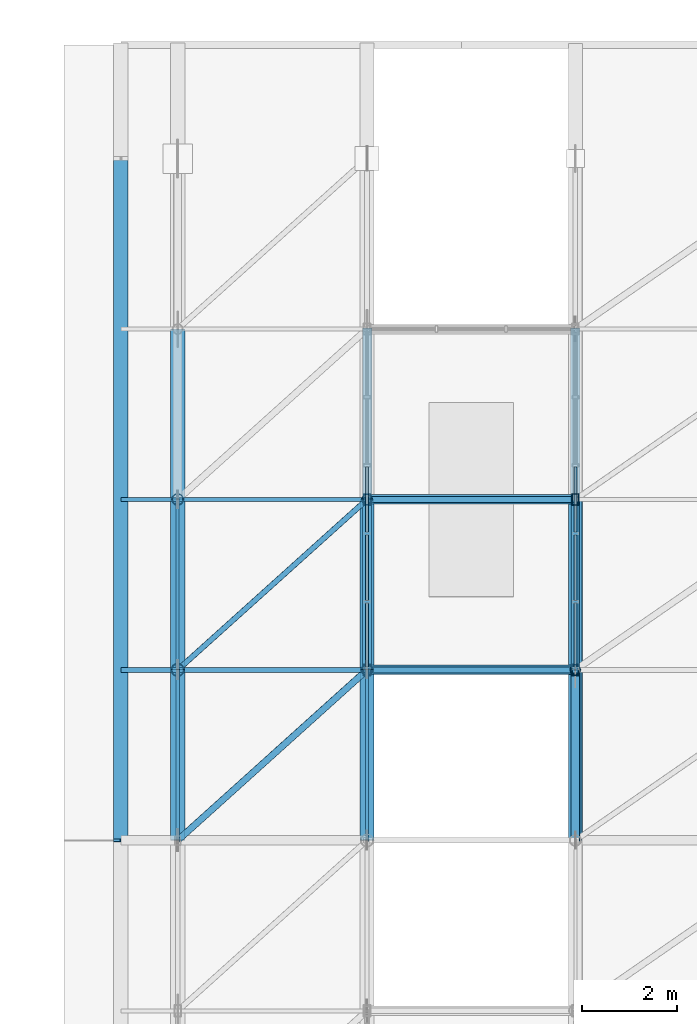
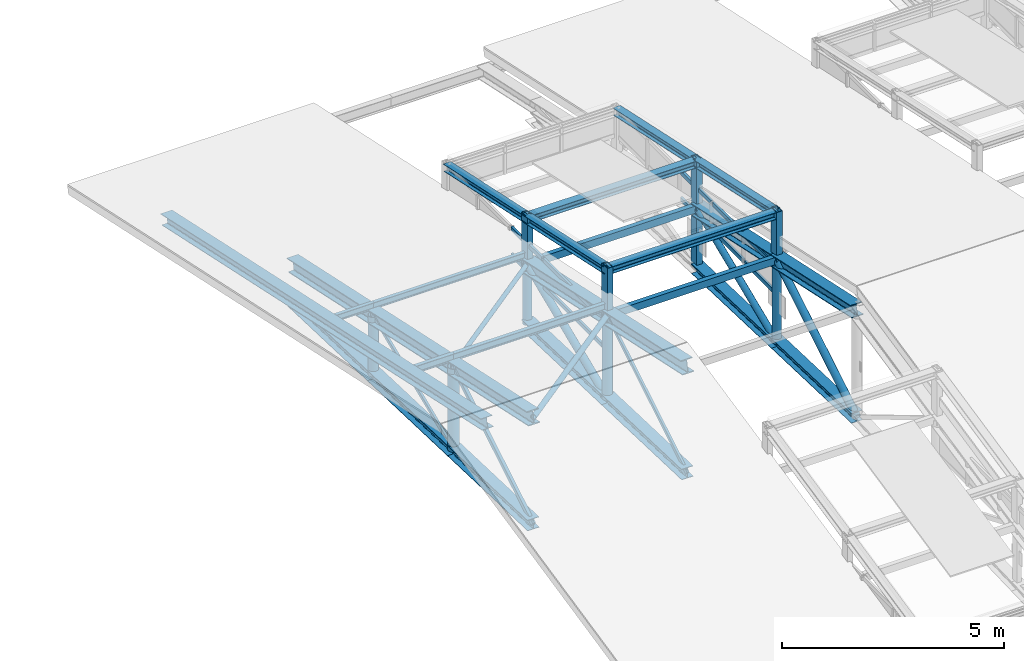
# One storey, part 38 of 124: 55 members, 2 elements without a shape of their own.
"""IFC4 building model written with IfcOpenShell, lengths in metres."""

from ifc_helpers import new_model, si_unit, direction, frame, origin, origin_2d, place, context, subcontext, project, spatial, hollow_rectangle, hollow_circle, i_section, extrude, material, layer, layer_set, material_profile, profile_set, type_object, element, aggregate, save


model = new_model("IFC4")

# Units and contexts
model_context = context("Model", 3, precision=1e-05, world=origin(), true_north=direction((0.0, 1.0)))
body_context = subcontext(model_context, "Body", "Model", "MODEL_VIEW")
ifc_project = project(units=[si_unit("LENGTHUNIT", "METRE"), si_unit("AREAUNIT", "SQUARE_METRE"), si_unit("VOLUMEUNIT", "CUBIC_METRE"), si_unit("PLANEANGLEUNIT", "RADIAN"), si_unit("MASSUNIT", "GRAM", prefix="KILO"), si_unit("THERMODYNAMICTEMPERATUREUNIT", "KELVIN"), si_unit("POWERUNIT", "WATT")], contexts=[model_context])

# Site, building, storey
site_placement = place(None, origin())
site = spatial("IfcSite", under=ifc_project, at=site_placement, CompositionType="ELEMENT")
building_placement = place(site_placement, origin())
building = spatial("IfcBuilding", under=site, at=building_placement, Name="Tavuni Mirador Residences", CompositionType="ELEMENT")
storey_placement = place(building_placement, frame((0.0, 0.0, 7.64990234375)))
storey = spatial("IfcBuildingStorey", under=building, at=storey_placement, Name="L02", CompositionType="ELEMENT", Elevation=7.64990234375)

# Curtain wall, members
ifc_material_1 = material(Name="Anodised aluminium", Category="aluminium")
ifc_layer = layer(ifc_material_1, 0.199951171875, Name="Anodised aluminium", Category="aluminium")
ifc_layer_set = layer_set([ifc_layer], Name="Anodised aluminium")
curtain_wall_type = type_object("IfcCurtainWallType", Name="CWT-HAL-01", PredefinedType="NOTDEFINED", material=ifc_layer_set)
curtain_wall_1_placement = place(storey_placement, origin())
curtain_wall_1 = element("IfcCurtainWall", 1, at=curtain_wall_1_placement, inside=storey, type_object=curtain_wall_type, Name="CW-HALL-MON-N1-W", PredefinedType="NOTDEFINED")
ifc_material_profile_1 = material_profile(ifc_material_1, hollow_rectangle(XDim=0.06005859375, YDim=0.110107421875, WallThickness=0.00390625, at=origin_2d()), Name="ALU 60x110x4.0", Category="aluminium")
ifc_profile_set_1 = profile_set([ifc_material_profile_1], Name="Anodised aluminium")
member_type_1 = type_object("IfcMemberType", Name="CWT-110", PredefinedType="USERDEFINED", material=ifc_profile_set_1)
member_1_placement = place(storey_placement, frame((44.800048828125, 90.06005859375, 1.205078125), z_axis=(0.0, 1.0, 0.0), x_axis=(-1.0, 0.0, 0.0)))
member_1 = element("IfcMember", 2, at=member_1_placement, type_object=member_type_1, Name="CW-06 transom 1.1", ObjectType="TRANSOM", PredefinedType="USERDEFINED", context=body_context, shape_type="SweptSolid", body=[
    extrude(hollow_rectangle(XDim=0.06005859375, YDim=0.110107421875, WallThickness=0.00390625, at=origin_2d()), origin(), (0.0, 0.0, 1.0), 1.349853515625),
])
member_2_placement = place(storey_placement, frame((44.800048828125, 90.06005859375, 1.93505859375), z_axis=(0.0, 1.0, 0.0), x_axis=(-1.0, 0.0, 0.0)))
member_2 = element("IfcMember", 3, at=member_2_placement, type_object=member_type_1, Name="CW-06 transom 1.2", ObjectType="TRANSOM", PredefinedType="USERDEFINED", context=body_context, shape_type="SweptSolid", body=[
    extrude(hollow_rectangle(XDim=0.06005859375, YDim=0.110107421875, WallThickness=0.00390625, at=origin_2d()), origin(), (0.0, 0.0, 1.0), 1.349853515625),
])
member_3_placement = place(storey_placement, frame((44.800048828125, 91.469970703125, 1.205078125), z_axis=(0.0, 1.0, 0.0), x_axis=(-1.0, 0.0, 0.0)))
member_3 = element("IfcMember", 4, at=member_3_placement, type_object=member_type_1, Name="CW-06 transom 2.1", ObjectType="TRANSOM", PredefinedType="USERDEFINED", context=body_context, shape_type="SweptSolid", body=[
    extrude(hollow_rectangle(XDim=0.06005859375, YDim=0.110107421875, WallThickness=0.00390625, at=origin_2d()), origin(), (0.0, 0.0, 1.0), 1.380126953125),
])
member_4_placement = place(storey_placement, frame((44.800048828125, 91.469970703125, 1.93505859375), z_axis=(0.0, 1.0, 0.0), x_axis=(-1.0, 0.0, 0.0)))
member_4 = element("IfcMember", 5, at=member_4_placement, type_object=member_type_1, Name="CW-06 transom 2.2", ObjectType="TRANSOM", PredefinedType="USERDEFINED", context=body_context, shape_type="SweptSolid", body=[
    extrude(hollow_rectangle(XDim=0.06005859375, YDim=0.110107421875, WallThickness=0.00390625, at=origin_2d()), origin(), (0.0, 0.0, 1.0), 1.380126953125),
])
member_5_placement = place(storey_placement, frame((44.800048828125, 92.909912109375, 1.205078125), z_axis=(0.0, 1.0, 0.0), x_axis=(-1.0, 0.0, 0.0)))
member_5 = element("IfcMember", 6, at=member_5_placement, type_object=member_type_1, Name="CW-06 transom 3.1", ObjectType="TRANSOM", PredefinedType="USERDEFINED", context=body_context, shape_type="SweptSolid", body=[
    extrude(hollow_rectangle(XDim=0.06005859375, YDim=0.110107421875, WallThickness=0.00390625, at=origin_2d()), origin(), (0.0, 0.0, 1.0), 1.380126953125),
])
member_6_placement = place(storey_placement, frame((44.800048828125, 92.909912109375, 1.93505859375), z_axis=(0.0, 1.0, 0.0), x_axis=(-1.0, 0.0, 0.0)))
member_6 = element("IfcMember", 7, at=member_6_placement, type_object=member_type_1, Name="CW-06 transom 3.2", ObjectType="TRANSOM", PredefinedType="USERDEFINED", context=body_context, shape_type="SweptSolid", body=[
    extrude(hollow_rectangle(XDim=0.06005859375, YDim=0.110107421875, WallThickness=0.00390625, at=origin_2d()), origin(), (0.0, 0.0, 1.0), 1.380126953125),
])
aggregate(curtain_wall_1, [member_1, member_2, member_3, member_4, member_5, member_6])

curtain_wall_2_placement = place(storey_placement, origin())
curtain_wall_2 = element("IfcCurtainWall", 8, at=curtain_wall_2_placement, inside=storey, type_object=curtain_wall_type, Name="CW-HALL-MON-N1-E", PredefinedType="NOTDEFINED")
member_7_placement = place(storey_placement, frame((49.199951171875, 90.06005859375, 1.205078125), z_axis=(0.0, 1.0, 0.0), x_axis=(-1.0, 0.0, 0.0)))
member_7 = element("IfcMember", 9, at=member_7_placement, type_object=member_type_1, Name="CW-06 transom 1.1", ObjectType="TRANSOM", PredefinedType="USERDEFINED", context=body_context, shape_type="SweptSolid", body=[
    extrude(hollow_rectangle(XDim=0.06005859375, YDim=0.110107421875, WallThickness=0.00390625, at=origin_2d()), origin(), (0.0, 0.0, 1.0), 1.349853515625),
])
member_8_placement = place(storey_placement, frame((49.199951171875, 90.06005859375, 1.93505859375), z_axis=(0.0, 1.0, 0.0), x_axis=(-1.0, 0.0, 0.0)))
member_8 = element("IfcMember", 10, at=member_8_placement, type_object=member_type_1, Name="CW-06 transom 1.2", ObjectType="TRANSOM", PredefinedType="USERDEFINED", context=body_context, shape_type="SweptSolid", body=[
    extrude(hollow_rectangle(XDim=0.06005859375, YDim=0.110107421875, WallThickness=0.00390625, at=origin_2d()), origin(), (0.0, 0.0, 1.0), 1.349853515625),
])
member_9_placement = place(storey_placement, frame((49.199951171875, 91.469970703125, 1.205078125), z_axis=(0.0, 1.0, 0.0), x_axis=(-1.0, 0.0, 0.0)))
member_9 = element("IfcMember", 11, at=member_9_placement, type_object=member_type_1, Name="CW-06 transom 2.1", ObjectType="TRANSOM", PredefinedType="USERDEFINED", context=body_context, shape_type="SweptSolid", body=[
    extrude(hollow_rectangle(XDim=0.06005859375, YDim=0.110107421875, WallThickness=0.00390625, at=origin_2d()), origin(), (0.0, 0.0, 1.0), 1.380126953125),
])
member_10_placement = place(storey_placement, frame((49.199951171875, 91.469970703125, 1.93505859375), z_axis=(0.0, 1.0, 0.0), x_axis=(-1.0, 0.0, 0.0)))
member_10 = element("IfcMember", 12, at=member_10_placement, type_object=member_type_1, Name="CW-06 transom 2.2", ObjectType="TRANSOM", PredefinedType="USERDEFINED", context=body_context, shape_type="SweptSolid", body=[
    extrude(hollow_rectangle(XDim=0.06005859375, YDim=0.110107421875, WallThickness=0.00390625, at=origin_2d()), origin(), (0.0, 0.0, 1.0), 1.380126953125),
])
member_11_placement = place(storey_placement, frame((49.199951171875, 92.909912109375, 1.205078125), z_axis=(0.0, 1.0, 0.0), x_axis=(-1.0, 0.0, 0.0)))
member_11 = element("IfcMember", 13, at=member_11_placement, type_object=member_type_1, Name="CW-06 transom 3.1", ObjectType="TRANSOM", PredefinedType="USERDEFINED", context=body_context, shape_type="SweptSolid", body=[
    extrude(hollow_rectangle(XDim=0.06005859375, YDim=0.110107421875, WallThickness=0.00390625, at=origin_2d()), origin(), (0.0, 0.0, 1.0), 1.380126953125),
])
member_12_placement = place(storey_placement, frame((49.199951171875, 92.909912109375, 1.93505859375), z_axis=(0.0, 1.0, 0.0), x_axis=(-1.0, 0.0, 0.0)))
member_12 = element("IfcMember", 14, at=member_12_placement, type_object=member_type_1, Name="CW-06 transom 3.2", ObjectType="TRANSOM", PredefinedType="USERDEFINED", context=body_context, shape_type="SweptSolid", body=[
    extrude(hollow_rectangle(XDim=0.06005859375, YDim=0.110107421875, WallThickness=0.00390625, at=origin_2d()), origin(), (0.0, 0.0, 1.0), 1.380126953125),
])
aggregate(curtain_wall_2, [member_7, member_8, member_9, member_10, member_11, member_12])

# Members
ifc_material_2 = material(Name="Structural steel S355", Category="steel")
ifc_material_profile_2 = material_profile(ifc_material_2, hollow_circle(Radius=0.05712890625, WallThickness=0.00634765625, at=origin_2d()), Name="CHS 114.3x6.3", Category="steel")
ifc_profile_set_2 = profile_set([ifc_material_profile_2], Name="Structural steel S355")
member_type_2 = type_object("IfcMemberType", Name="MT-BR-CHS114", PredefinedType="BRACE", material=ifc_profile_set_2)
member_13_placement = place(storey_placement, frame((40.800048828125, 90.0, 2.155029296875), z_axis=(0.735697248953, 0.662145485417, -0.142523380626), x_axis=(-0.668974757313, 0.743285123004, 0.0)))
element("IfcMember", 15, at=member_13_placement, inside=storey, type_object=member_type_2, Name="HALL-RB-1-06", PredefinedType="BRACE", context=body_context, shape_type="SweptSolid", body=[
    extrude(hollow_circle(Radius=0.05712890625, WallThickness=0.00634765625, at=origin_2d()), origin(), (0.0, 0.0, 1.0), 5.43701171875),
])
ifc_material_profile_3 = material_profile(ifc_material_2, hollow_circle(Radius=0.06982421875, WallThickness=0.008056640625, at=origin_2d()), Name="CHS 139.7x8.0", Category="steel")
ifc_profile_set_3 = profile_set([ifc_material_profile_3], Name="Structural steel S355")
member_type_3 = type_object("IfcMemberType", Name="MT-BR-CHS139", PredefinedType="BRACE", material=ifc_profile_set_3)
member_14_placement = place(storey_placement, frame((40.800048828125, 86.39990234375, 2.93017578125), z_axis=(0.735692539953, 0.662141247202, -0.142567371481), x_axis=(-0.668974757313, 0.743285123004, 0.0)))
element("IfcMember", 16, at=member_14_placement, inside=storey, type_object=member_type_3, Name="HALL-RB-1-05", PredefinedType="BRACE", context=body_context, shape_type="SweptSolid", body=[
    extrude(hollow_circle(Radius=0.06982421875, WallThickness=0.008056640625, at=origin_2d()), origin(), (0.0, 0.0, 1.0), 5.43701171875),
])
ifc_material_profile_4 = material_profile(ifc_material_2, hollow_circle(Radius=0.084228515625, WallThickness=0.008056640625, at=origin_2d()), Name="CHS 168.3x8.0", Category="steel")
ifc_profile_set_4 = profile_set([ifc_material_profile_4], Name="Structural steel S355")
member_type_4 = type_object("IfcMemberType", Name="MT-BR-CHS168", PredefinedType="BRACE", material=ifc_profile_set_4)
member_15_placement = place(storey_placement, frame((49.199951171875, 90.0, -0.125), z_axis=(0.0, 0.922613480979, 0.385725763613), x_axis=(-1.0, 0.0, 0.0)))
element("IfcMember", 17, at=member_15_placement, inside=storey, type_object=member_type_4, Name="Roof truss TR-3 web diagonal 6", PredefinedType="BRACE", context=body_context, shape_type="SweptSolid", body=[
    extrude(hollow_circle(Radius=0.084228515625, WallThickness=0.008056640625, at=origin_2d()), origin(), (0.0, 0.0, 1.0), 3.902099609375),
])
ifc_material_profile_5 = material_profile(ifc_material_2, hollow_circle(Radius=0.096923828125, WallThickness=0.010009765625, at=origin_2d()), Name="CHS 193.7x10.0", Category="steel")
ifc_profile_set_5 = profile_set([ifc_material_profile_5], Name="Structural steel S355")
member_type_5 = type_object("IfcMemberType", Name="MT-BR-CHS193", PredefinedType="BRACE", material=ifc_profile_set_5)
member_16_placement = place(storey_placement, frame((44.800048828125, 90.0, -0.125), z_axis=(0.0, 0.922613480979, 0.385725763613), x_axis=(-1.0, 0.0, 0.0)))
element("IfcMember", 18, at=member_16_placement, inside=storey, type_object=member_type_5, Name="Roof truss TR-2 web diagonal 6", PredefinedType="BRACE", context=body_context, shape_type="SweptSolid", body=[
    extrude(hollow_circle(Radius=0.096923828125, WallThickness=0.010009765625, at=origin_2d()), origin(), (0.0, 0.0, 1.0), 3.902099609375),
])
member_17_placement = place(storey_placement, frame((49.199951171875, 86.39990234375, 0.0), z_axis=(0.0, 0.858021287319, 0.513614126079), x_axis=(-1.0, 0.0, 0.0)))
element("IfcMember", 19, at=member_17_placement, inside=storey, type_object=member_type_5, Name="Roof truss TR-3 web diagonal 5", PredefinedType="BRACE", context=body_context, shape_type="SweptSolid", body=[
    extrude(hollow_circle(Radius=0.096923828125, WallThickness=0.010009765625, at=origin_2d()), origin(), (0.0, 0.0, 1.0), 4.19580078125),
])
ifc_material_profile_6 = material_profile(ifc_material_2, hollow_rectangle(XDim=0.06005859375, YDim=0.10009765625, WallThickness=0.0048828125, at=origin_2d()), Name="RHS 100x60x5.0", Category="steel")
ifc_profile_set_6 = profile_set([ifc_material_profile_6], Name="Structural steel S355")
member_type_6 = type_object("IfcMemberType", Name="MT-BR-RHS100", PredefinedType="BRACE", material=ifc_profile_set_6)
member_18_placement = place(storey_placement, frame((40.800048828125, 90.0, -0.125), z_axis=(0.0, 0.922613480979, 0.385725763613), x_axis=(-1.0, 0.0, 0.0)))
element("IfcMember", 20, at=member_18_placement, inside=storey, type_object=member_type_6, Name="Roof truss TR-1 web diagonal 6", PredefinedType="BRACE", context=body_context, shape_type="SweptSolid", body=[
    extrude(hollow_rectangle(XDim=0.06005859375, YDim=0.10009765625, WallThickness=0.0048828125, at=origin_2d()), origin(), (0.0, 0.0, 1.0), 3.902099609375),
])
member_19_placement = place(storey_placement, frame((44.800048828125, 86.39990234375, 0.0), z_axis=(0.0, 0.858021287319, 0.513614126079), x_axis=(-1.0, 0.0, 0.0)))
element("IfcMember", 21, at=member_19_placement, inside=storey, type_object=member_type_6, Name="Roof truss TR-2 web diagonal 5", PredefinedType="BRACE", context=body_context, shape_type="SweptSolid", body=[
    extrude(hollow_rectangle(XDim=0.06005859375, YDim=0.10009765625, WallThickness=0.0048828125, at=origin_2d()), origin(), (0.0, 0.0, 1.0), 4.19580078125),
])
ifc_material_profile_7 = material_profile(ifc_material_2, hollow_rectangle(XDim=0.080078125, YDim=0.1201171875, WallThickness=0.00634765625, at=origin_2d()), Name="RHS 120x80x6.3", Category="steel")
ifc_profile_set_7 = profile_set([ifc_material_profile_7], Name="Structural steel S355")
member_type_7 = type_object("IfcMemberType", Name="MT-BR-RHS120", PredefinedType="BRACE", material=ifc_profile_set_7)
member_20_placement = place(storey_placement, frame((40.800048828125, 86.39990234375, 0.0), z_axis=(0.0, 0.858021287319, 0.513614126079), x_axis=(-1.0, 0.0, 0.0)))
element("IfcMember", 22, at=member_20_placement, inside=storey, type_object=member_type_7, Name="Roof truss TR-1 web diagonal 5", PredefinedType="BRACE", context=body_context, shape_type="SweptSolid", body=[
    extrude(hollow_rectangle(XDim=0.080078125, YDim=0.1201171875, WallThickness=0.00634765625, at=origin_2d()), origin(), (0.0, 0.0, 1.0), 4.19580078125),
])
ifc_material_profile_8 = material_profile(ifc_material_2, i_section(OverallWidth=0.280029296875, OverallDepth=0.27001953125, WebThickness=0.008056640625, FlangeThickness=0.012939453125, FilletRadius=0.02392578125, at=origin_2d()), Name="HEA 280", Category="steel")
ifc_profile_set_8 = profile_set([ifc_material_profile_8], Name="Structural steel S355")
member_type_8 = type_object("IfcMemberType", Name="MT-CH-HEA280", PredefinedType="CHORD", material=ifc_profile_set_8)
for number, where, z_axis, x_axis, name in (
    (23, (49.199951171875, 86.39990234375, 0.0), (0.0, 0.999397760821, -0.034700369832), (-1.0, 0.0, 0.0), "Roof truss TR-3 bottom chord 5"),
    (24, (49.199951171875, 90.0, -0.125), (0.0, 0.999397760821, -0.034700369832), (-1.0, 0.0, 0.0), "Roof truss TR-3 bottom chord 6"),
):
    element("IfcMember", number, at=place(storey_placement, frame(where, z_axis=z_axis, x_axis=x_axis)), inside=storey, type_object=member_type_8, Name=name, PredefinedType="CHORD", context=body_context, shape_type="SweptSolid", body=[
        extrude(i_section(OverallWidth=0.280029296875, OverallDepth=0.27001953125, WebThickness=0.008056640625, FlangeThickness=0.012939453125, FilletRadius=0.02392578125, at=origin_2d()), origin(), (0.0, 0.0, 1.0), 3.602294921875),
    ])
ifc_material_profile_9 = material_profile(ifc_material_2, i_section(OverallWidth=0.300048828125, OverallDepth=0.2900390625, WebThickness=0.008544921875, FlangeThickness=0.013916015625, FilletRadius=0.027099609375, at=origin_2d()), Name="HEA 300", Category="steel")
ifc_profile_set_9 = profile_set([ifc_material_profile_9], Name="Structural steel S355")
member_type_9 = type_object("IfcMemberType", Name="MT-CH-HEA300", PredefinedType="CHORD", material=ifc_profile_set_9)
for number, where, z_axis, x_axis, name in (
    (25, (40.800048828125, 86.39990234375, 0.0), (0.0, 0.999397760821, -0.034700369832), (-1.0, 0.0, 0.0), "Roof truss TR-1 bottom chord 5"),
    (26, (40.800048828125, 90.0, -0.125), (0.0, 0.999397760821, -0.034700369832), (-1.0, 0.0, 0.0), "Roof truss TR-1 bottom chord 6"),
):
    element("IfcMember", number, at=place(storey_placement, frame(where, z_axis=z_axis, x_axis=x_axis)), inside=storey, type_object=member_type_9, Name=name, PredefinedType="CHORD", context=body_context, shape_type="SweptSolid", body=[
        extrude(i_section(OverallWidth=0.300048828125, OverallDepth=0.2900390625, WebThickness=0.008544921875, FlangeThickness=0.013916015625, FilletRadius=0.027099609375, at=origin_2d()), origin(), (0.0, 0.0, 1.0), 3.602294921875),
    ])
member_21_placement = place(storey_placement, frame((40.800048828125, 93.60009765625, -0.25), z_axis=(0.0, 0.999397679205, -0.034702720363), x_axis=(-1.0, 0.0, 0.0)))
element("IfcMember", 27, at=member_21_placement, inside=storey, type_object=member_type_9, Name="Roof truss TR-1 bottom chord 7", PredefinedType="CHORD", context=body_context, shape_type="SweptSolid", body=[
    extrude(i_section(OverallWidth=0.300048828125, OverallDepth=0.2900390625, WebThickness=0.008544921875, FlangeThickness=0.013916015625, FilletRadius=0.027099609375, at=origin_2d()), origin(), (0.0, 0.0, 1.0), 3.60205078125),
])
for number, where, z_axis, x_axis, name in (
    (28, (44.800048828125, 86.39990234375, 0.0), (0.0, 0.999397760821, -0.034700369832), (-1.0, 0.0, 0.0), "Roof truss TR-2 bottom chord 5"),
    (29, (44.800048828125, 90.0, -0.125), (0.0, 0.999397760821, -0.034700369832), (-1.0, 0.0, 0.0), "Roof truss TR-2 bottom chord 6"),
):
    element("IfcMember", number, at=place(storey_placement, frame(where, z_axis=z_axis, x_axis=x_axis)), inside=storey, type_object=member_type_9, Name=name, PredefinedType="CHORD", context=body_context, shape_type="SweptSolid", body=[
        extrude(i_section(OverallWidth=0.300048828125, OverallDepth=0.2900390625, WebThickness=0.008544921875, FlangeThickness=0.013916015625, FilletRadius=0.027099609375, at=origin_2d()), origin(), (0.0, 0.0, 1.0), 3.602294921875),
    ])
member_22_placement = place(storey_placement, frame((39.60009765625, 86.39990234375, 3.195068359375), z_axis=(0.0, 0.977605760984, -0.210444710293), x_axis=(-1.0, 0.0, 0.0)))
element("IfcMember", 30, at=member_22_placement, inside=storey, type_object=member_type_9, Name="HALL-GAB-W-N", PredefinedType="CHORD", context=body_context, shape_type="SweptSolid", body=[
    extrude(i_section(OverallWidth=0.300048828125, OverallDepth=0.2900390625, WebThickness=0.008544921875, FlangeThickness=0.013916015625, FilletRadius=0.027099609375, at=origin_2d()), origin(), (0.0, 0.0, 1.0), 14.72998046875),
])
ifc_material_profile_10 = material_profile(ifc_material_2, i_section(OverallWidth=0.300048828125, OverallDepth=0.320068359375, WebThickness=0.011474609375, FlangeThickness=0.0205078125, FilletRadius=0.027099609375, at=origin_2d()), Name="HEB 320", Category="steel")
ifc_profile_set_10 = profile_set([ifc_material_profile_10], Name="Structural steel S355")
member_type_10 = type_object("IfcMemberType", Name="MT-CH-HEB320", PredefinedType="CHORD", material=ifc_profile_set_10)
for number, where, z_axis, x_axis, name in (
    (31, (49.199951171875, 86.39990234375, 2.93017578125), (0.0, 0.977596264641, -0.210488820035), (-1.0, 0.0, 0.0), "Roof truss TR-3 top chord 5"),
    (32, (49.199951171875, 90.0, 2.155029296875), (0.0, 0.977609904647, -0.210425460284), (-1.0, 0.0, 0.0), "Roof truss TR-3 top chord 6"),
):
    element("IfcMember", number, at=place(storey_placement, frame(where, z_axis=z_axis, x_axis=x_axis)), inside=storey, type_object=member_type_10, Name=name, PredefinedType="CHORD", context=body_context, shape_type="SweptSolid", body=[
        extrude(i_section(OverallWidth=0.300048828125, OverallDepth=0.320068359375, WebThickness=0.011474609375, FlangeThickness=0.0205078125, FilletRadius=0.027099609375, at=origin_2d()), origin(), (0.0, 0.0, 1.0), 3.6826171875),
    ])
ifc_material_profile_11 = material_profile(ifc_material_2, i_section(OverallWidth=0.300048828125, OverallDepth=0.360107421875, WebThickness=0.012451171875, FlangeThickness=0.0224609375, FilletRadius=0.027099609375, at=origin_2d()), Name="HEB 360", Category="steel")
ifc_profile_set_11 = profile_set([ifc_material_profile_11], Name="Structural steel S355")
member_type_11 = type_object("IfcMemberType", Name="MT-CH-HEB360", PredefinedType="CHORD", material=ifc_profile_set_11)
for number, where, z_axis, x_axis, name in (
    (33, (40.800048828125, 86.39990234375, 2.93017578125), (0.0, 0.977596264641, -0.210488820035), (-1.0, 0.0, 0.0), "Roof truss TR-1 top chord 5"),
    (34, (40.800048828125, 90.0, 2.155029296875), (0.0, 0.977609904647, -0.210425460284), (-1.0, 0.0, 0.0), "Roof truss TR-1 top chord 6"),
):
    element("IfcMember", number, at=place(storey_placement, frame(where, z_axis=z_axis, x_axis=x_axis)), inside=storey, type_object=member_type_11, Name=name, PredefinedType="CHORD", context=body_context, shape_type="SweptSolid", body=[
        extrude(i_section(OverallWidth=0.300048828125, OverallDepth=0.360107421875, WebThickness=0.012451171875, FlangeThickness=0.0224609375, FilletRadius=0.027099609375, at=origin_2d()), origin(), (0.0, 0.0, 1.0), 3.6826171875),
    ])
member_23_placement = place(storey_placement, frame((40.800048828125, 93.60009765625, 1.380126953125), z_axis=(0.0, 0.977593327089, -0.210502462768), x_axis=(-1.0, 0.0, 0.0)))
element("IfcMember", 35, at=member_23_placement, inside=storey, type_object=member_type_11, Name="Roof truss TR-1 top chord 7", PredefinedType="CHORD", context=body_context, shape_type="SweptSolid", body=[
    extrude(i_section(OverallWidth=0.300048828125, OverallDepth=0.360107421875, WebThickness=0.012451171875, FlangeThickness=0.0224609375, FilletRadius=0.027099609375, at=origin_2d()), origin(), (0.0, 0.0, 1.0), 3.682373046875),
])
for number, where, z_axis, x_axis, name in (
    (36, (44.800048828125, 86.39990234375, 2.93017578125), (0.0, 0.977596264641, -0.210488820035), (-1.0, 0.0, 0.0), "Roof truss TR-2 top chord 5"),
    (37, (44.800048828125, 90.0, 2.155029296875), (0.0, 0.977609904647, -0.210425460284), (-1.0, 0.0, 0.0), "Roof truss TR-2 top chord 6"),
):
    element("IfcMember", number, at=place(storey_placement, frame(where, z_axis=z_axis, x_axis=x_axis)), inside=storey, type_object=member_type_11, Name=name, PredefinedType="CHORD", context=body_context, shape_type="SweptSolid", body=[
        extrude(i_section(OverallWidth=0.300048828125, OverallDepth=0.360107421875, WebThickness=0.012451171875, FlangeThickness=0.0224609375, FilletRadius=0.027099609375, at=origin_2d()), origin(), (0.0, 0.0, 1.0), 3.6826171875),
    ])
ifc_material_profile_12 = material_profile(ifc_material_2, i_section(OverallWidth=0.199951171875, OverallDepth=0.18994140625, WebThickness=0.006591796875, FlangeThickness=0.010009765625, FilletRadius=0.01806640625, at=origin_2d()), Name="HEA 200", Category="steel")
ifc_profile_set_12 = profile_set([ifc_material_profile_12], Name="Structural steel S355")
member_type_12 = type_object("IfcMemberType", Name="MT-PR-HEA200", PredefinedType="PURLIN", material=ifc_profile_set_12)
for number, where, z_axis, x_axis, name in (
    (38, (44.800048828125, 90.0, 3.4150390625), (1.0, 0.0, 0.0), (0.0, 1.0, 0.0), "HALL-MPUR-1-N-1"),
    (39, (44.800048828125, 93.60009765625, 2.64013671875), (1.0, 0.0, 0.0), (0.0, 1.0, 0.0), "HALL-MPUR-1-N-2"),
):
    element("IfcMember", number, at=place(storey_placement, frame(where, z_axis=z_axis, x_axis=x_axis)), inside=storey, type_object=member_type_12, Name=name, PredefinedType="PURLIN", context=body_context, shape_type="SweptSolid", body=[
        extrude(i_section(OverallWidth=0.199951171875, OverallDepth=0.18994140625, WebThickness=0.006591796875, FlangeThickness=0.010009765625, FilletRadius=0.01806640625, at=origin_2d()), origin(), (0.0, 0.0, 1.0), 4.39990234375),
    ])
for number, where, z_axis, x_axis, name in (
    (40, (44.800048828125, 90.0, 3.4150390625), (0.0, 0.977601616837, -0.21046396071), (-1.0, 0.0, 0.0), "HALL-MRAF-1-N-W"),
    (41, (49.199951171875, 90.0, 3.4150390625), (0.0, 0.977601616837, -0.21046396071), (-1.0, 0.0, 0.0), "HALL-MRAF-1-N-E"),
):
    element("IfcMember", number, at=place(storey_placement, frame(where, z_axis=z_axis, x_axis=x_axis)), inside=storey, type_object=member_type_12, Name=name, PredefinedType="PURLIN", context=body_context, shape_type="SweptSolid", body=[
        extrude(i_section(OverallWidth=0.199951171875, OverallDepth=0.18994140625, WebThickness=0.006591796875, FlangeThickness=0.010009765625, FilletRadius=0.01806640625, at=origin_2d()), origin(), (0.0, 0.0, 1.0), 7.364990234375),
    ])
ifc_material_profile_13 = material_profile(ifc_material_2, i_section(OverallWidth=0.091064453125, OverallDepth=0.179931640625, WebThickness=0.00537109375, FlangeThickness=0.008056640625, FilletRadius=0.009033203125, at=origin_2d()), Name="IPE 180", Category="steel")
ifc_profile_set_13 = profile_set([ifc_material_profile_13], Name="Structural steel S355")
member_type_13 = type_object("IfcMemberType", Name="MT-PR-IPE180", PredefinedType="PURLIN", material=ifc_profile_set_13)
member_24_placement = place(storey_placement, frame((39.60009765625, 93.60009765625, 1.64501953125), z_axis=(1.0, 0.0, 0.0), x_axis=(0.0, 1.0, 0.0)))
element("IfcMember", 42, at=member_24_placement, inside=storey, type_object=member_type_13, Name="HALL-PUR-05-S1-1", PredefinedType="PURLIN", context=body_context, shape_type="SweptSolid", body=[
    extrude(i_section(OverallWidth=0.091064453125, OverallDepth=0.179931640625, WebThickness=0.00537109375, FlangeThickness=0.008056640625, FilletRadius=0.009033203125, at=origin_2d()), origin(), (0.0, 0.0, 1.0), 1.199951171875),
])
member_25_placement = place(storey_placement, frame((40.800048828125, 93.60009765625, 1.64501953125), z_axis=(1.0, 0.0, 0.0), x_axis=(0.0, 1.0, 0.0)))
element("IfcMember", 43, at=member_25_placement, inside=storey, type_object=member_type_13, Name="HALL-PUR-05-S1-2", PredefinedType="PURLIN", context=body_context, shape_type="SweptSolid", body=[
    extrude(i_section(OverallWidth=0.091064453125, OverallDepth=0.179931640625, WebThickness=0.00537109375, FlangeThickness=0.008056640625, FilletRadius=0.009033203125, at=origin_2d()), origin(), (0.0, 0.0, 1.0), 4.0),
])
ifc_material_profile_14 = material_profile(ifc_material_2, i_section(OverallWidth=0.10009765625, OverallDepth=0.199951171875, WebThickness=0.005615234375, FlangeThickness=0.008544921875, FilletRadius=0.011962890625, at=origin_2d()), Name="IPE 200", Category="steel")
ifc_profile_set_14 = profile_set([ifc_material_profile_14], Name="Structural steel S355")
member_type_14 = type_object("IfcMemberType", Name="MT-PR-IPE200", PredefinedType="PURLIN", material=ifc_profile_set_14)
member_26_placement = place(storey_placement, frame((39.60009765625, 90.0, 2.420166015625), z_axis=(1.0, 0.0, 0.0), x_axis=(0.0, 1.0, 0.0)))
element("IfcMember", 44, at=member_26_placement, inside=storey, type_object=member_type_14, Name="HALL-PUR-04-S1-1", PredefinedType="PURLIN", context=body_context, shape_type="SweptSolid", body=[
    extrude(i_section(OverallWidth=0.10009765625, OverallDepth=0.199951171875, WebThickness=0.005615234375, FlangeThickness=0.008544921875, FilletRadius=0.011962890625, at=origin_2d()), origin(), (0.0, 0.0, 1.0), 1.199951171875),
])
member_27_placement = place(storey_placement, frame((40.800048828125, 90.0, 2.420166015625), z_axis=(1.0, 0.0, 0.0), x_axis=(0.0, 1.0, 0.0)))
element("IfcMember", 45, at=member_27_placement, inside=storey, type_object=member_type_14, Name="HALL-PUR-04-S1-2", PredefinedType="PURLIN", context=body_context, shape_type="SweptSolid", body=[
    extrude(i_section(OverallWidth=0.10009765625, OverallDepth=0.199951171875, WebThickness=0.005615234375, FlangeThickness=0.008544921875, FilletRadius=0.011962890625, at=origin_2d()), origin(), (0.0, 0.0, 1.0), 4.0),
])
ifc_material_profile_15 = material_profile(ifc_material_2, hollow_circle(Radius=0.109619140625, WallThickness=0.010009765625, at=origin_2d()), Name="CHS 219.1x10.0", Category="steel")
ifc_profile_set_15 = profile_set([ifc_material_profile_15], Name="Structural steel S355")
member_type_15 = type_object("IfcMemberType", Name="MT-ST-CHS219", PredefinedType="STRUT", material=ifc_profile_set_15)
member_28_placement = place(storey_placement, frame((44.800048828125, 93.60009765625, -0.25), z_axis=(0.0, 0.0, 1.0), x_axis=(1.0, 0.0, 0.0)))
element("IfcMember", 46, at=member_28_placement, inside=storey, type_object=member_type_15, Name="Roof truss TR-2 vertical 7", PredefinedType="STRUT", context=body_context, shape_type="SweptSolid", body=[
    extrude(hollow_circle(Radius=0.109619140625, WallThickness=0.010009765625, at=origin_2d()), origin(), (0.0, 0.0, 1.0), 1.630126953125),
])
member_29_placement = place(storey_placement, frame((49.199951171875, 90.0, -0.125), z_axis=(0.0, 0.0, 1.0), x_axis=(1.0, 0.0, 0.0)))
element("IfcMember", 47, at=member_29_placement, inside=storey, type_object=member_type_15, Name="Roof truss TR-3 vertical 6", PredefinedType="STRUT", context=body_context, shape_type="SweptSolid", body=[
    extrude(hollow_circle(Radius=0.109619140625, WallThickness=0.010009765625, at=origin_2d()), origin(), (0.0, 0.0, 1.0), 2.280029296875),
])
ifc_material_profile_16 = material_profile(ifc_material_2, hollow_circle(Radius=0.122314453125, WallThickness=0.012451171875, at=origin_2d()), Name="CHS 244.5x12.5", Category="steel")
ifc_profile_set_16 = profile_set([ifc_material_profile_16], Name="Structural steel S355")
member_type_16 = type_object("IfcMemberType", Name="MT-ST-CHS244", PredefinedType="STRUT", material=ifc_profile_set_16)
member_30_placement = place(storey_placement, frame((40.800048828125, 93.60009765625, -0.25), z_axis=(0.0, 0.0, 1.0), x_axis=(1.0, 0.0, 0.0)))
element("IfcMember", 48, at=member_30_placement, inside=storey, type_object=member_type_16, Name="Roof truss TR-1 vertical 7", PredefinedType="STRUT", context=body_context, shape_type="SweptSolid", body=[
    extrude(hollow_circle(Radius=0.122314453125, WallThickness=0.012451171875, at=origin_2d()), origin(), (0.0, 0.0, 1.0), 1.630126953125),
])
member_31_placement = place(storey_placement, frame((44.800048828125, 90.0, -0.125), z_axis=(0.0, 0.0, 1.0), x_axis=(1.0, 0.0, 0.0)))
element("IfcMember", 49, at=member_31_placement, inside=storey, type_object=member_type_16, Name="Roof truss TR-2 vertical 6", PredefinedType="STRUT", context=body_context, shape_type="SweptSolid", body=[
    extrude(hollow_circle(Radius=0.122314453125, WallThickness=0.012451171875, at=origin_2d()), origin(), (0.0, 0.0, 1.0), 2.280029296875),
])
ifc_material_profile_17 = material_profile(ifc_material_2, hollow_circle(Radius=0.136474609375, WallThickness=0.012451171875, at=origin_2d()), Name="CHS 273.0x12.5", Category="steel")
ifc_profile_set_17 = profile_set([ifc_material_profile_17], Name="Structural steel S355")
member_type_17 = type_object("IfcMemberType", Name="MT-ST-CHS273", PredefinedType="STRUT", material=ifc_profile_set_17)
member_32_placement = place(storey_placement, frame((40.800048828125, 90.0, -0.125), z_axis=(0.0, 0.0, 1.0), x_axis=(1.0, 0.0, 0.0)))
element("IfcMember", 50, at=member_32_placement, inside=storey, type_object=member_type_17, Name="Roof truss TR-1 vertical 6", PredefinedType="STRUT", context=body_context, shape_type="SweptSolid", body=[
    extrude(hollow_circle(Radius=0.136474609375, WallThickness=0.012451171875, at=origin_2d()), origin(), (0.0, 0.0, 1.0), 2.280029296875),
])
ifc_material_profile_18 = material_profile(ifc_material_2, hollow_rectangle(XDim=0.1201171875, YDim=0.199951171875, WallThickness=0.010009765625, at=origin_2d()), Name="RHS 200x120x10.0", Category="steel")
ifc_profile_set_18 = profile_set([ifc_material_profile_18], Name="Structural steel S355")
member_type_18 = type_object("IfcMemberType", Name="MT-ST-RHS200", PredefinedType="STRUT", material=ifc_profile_set_18)
for number, where, z_axis, x_axis, name in (
    (51, (44.719970703125, 90.0, 2.155029296875), (1.0, 0.0, 0.0), (0.0, 1.0, 0.0), "HALL-MTIE-1-05"),
    (52, (44.719970703125, 93.60009765625, 1.380126953125), (1.0, 0.0, 0.0), (0.0, 1.0, 0.0), "HALL-MTIE-1-06"),
):
    element("IfcMember", number, at=place(storey_placement, frame(where, z_axis=z_axis, x_axis=x_axis)), inside=storey, type_object=member_type_18, Name=name, PredefinedType="STRUT", context=body_context, shape_type="SweptSolid", body=[
        extrude(hollow_rectangle(XDim=0.1201171875, YDim=0.199951171875, WallThickness=0.010009765625, at=origin_2d()), origin(), (0.0, 0.0, 1.0), 4.56005859375),
    ])
ifc_material_profile_19 = material_profile(ifc_material_2, hollow_rectangle(XDim=0.14990234375, YDim=0.25, WallThickness=0.010009765625, at=origin_2d()), Name="RHS 250x150x10.0", Category="steel")
ifc_profile_set_19 = profile_set([ifc_material_profile_19], Name="Structural steel S355")
member_type_19 = type_object("IfcMemberType", Name="MT-ST-RHS250", PredefinedType="STRUT", material=ifc_profile_set_19)
member_33_placement = place(storey_placement, frame((49.199951171875, 93.60009765625, -0.25), z_axis=(0.0, 0.0, 1.0), x_axis=(1.0, 0.0, 0.0)))
element("IfcMember", 53, at=member_33_placement, inside=storey, type_object=member_type_19, Name="Roof truss TR-3 vertical 7", PredefinedType="STRUT", context=body_context, shape_type="SweptSolid", body=[
    extrude(hollow_rectangle(XDim=0.14990234375, YDim=0.25, WallThickness=0.010009765625, at=origin_2d()), origin(), (0.0, 0.0, 1.0), 1.630126953125),
])
for number, where, z_axis, x_axis, name in (
    (54, (44.800048828125, 90.0, 2.03515625), (0.0, 0.0, 1.0), (1.0, 0.0, 0.0), "HALL-MPST-1-N-W1"),
    (55, (49.199951171875, 90.0, 2.03515625), (0.0, 0.0, 1.0), (1.0, 0.0, 0.0), "HALL-MPST-1-N-E1"),
    (56, (44.800048828125, 93.60009765625, 1.260009765625), (0.0, 0.0, 1.0), (1.0, 0.0, 0.0), "HALL-MPST-1-N-W2"),
    (57, (49.199951171875, 93.60009765625, 1.260009765625), (0.0, 0.0, 1.0), (1.0, 0.0, 0.0), "HALL-MPST-1-N-E2"),
):
    element("IfcMember", number, at=place(storey_placement, frame(where, z_axis=z_axis, x_axis=x_axis)), inside=storey, type_object=member_type_19, Name=name, PredefinedType="STRUT", context=body_context, shape_type="SweptSolid", body=[
        extrude(hollow_rectangle(XDim=0.14990234375, YDim=0.25, WallThickness=0.010009765625, at=origin_2d()), origin(), (0.0, 0.0, 1.0), 1.489990234375),
    ])

save(model, "model.ifc")
